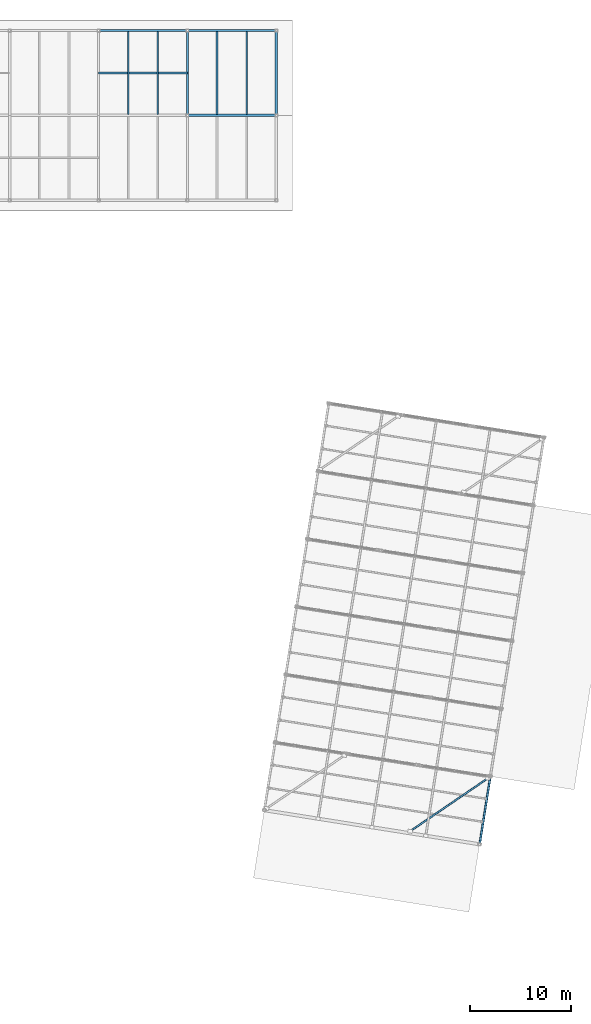
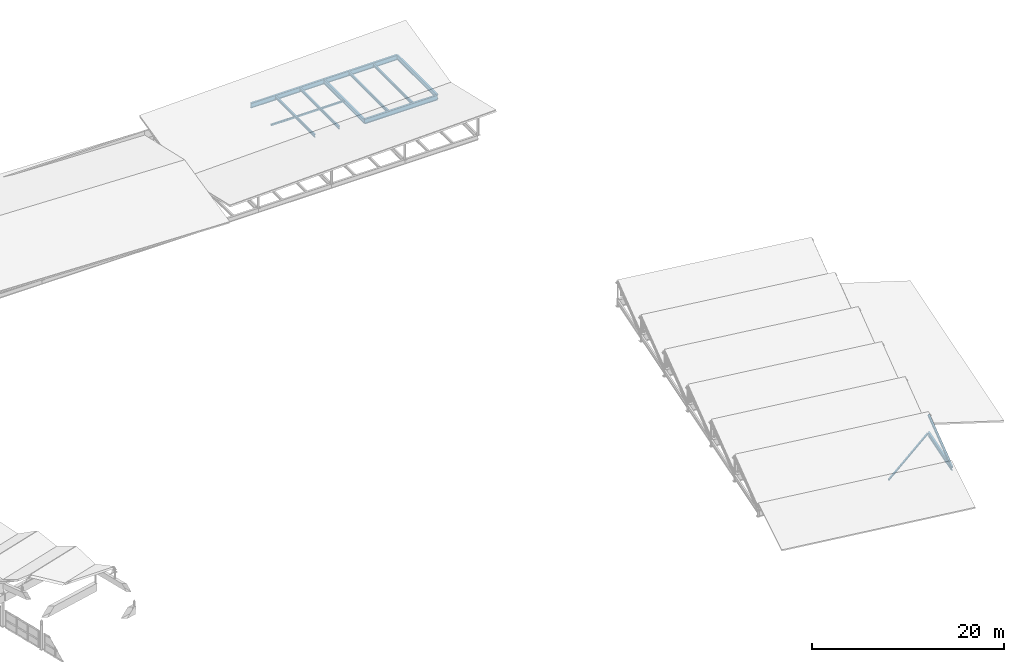
# One storey, part 49 of 65: 10 beams, 3 members.
"""IFC4 building model written with IfcOpenShell, lengths in metres."""

from ifc_helpers import new_model, si_unit, direction, frame, origin, origin_2d, place, context, subcontext, project, spatial, hollow_rectangle, i_section, extrude, material, material_profile, profile_set, type_object, element, save


model = new_model("IFC4")

# Units and contexts
model_context = context("Model", 3, precision=1e-05, world=origin(), true_north=direction((0.0, 1.0)))
body_context = subcontext(model_context, "Body", "Model", "MODEL_VIEW")
ifc_project = project(units=[si_unit("LENGTHUNIT", "METRE"), si_unit("AREAUNIT", "SQUARE_METRE"), si_unit("VOLUMEUNIT", "CUBIC_METRE"), si_unit("PLANEANGLEUNIT", "RADIAN"), si_unit("MASSUNIT", "GRAM", prefix="KILO")], contexts=[model_context])

# Site, building, storey
site_placement = place(None, origin())
site = spatial("IfcSite", under=ifc_project, at=site_placement, CompositionType="ELEMENT")
building_placement = place(site_placement, origin())
building = spatial("IfcBuilding", under=site, at=building_placement, Name="Cinderway Yard Community Centre", CompositionType="ELEMENT")
storey_placement = place(building_placement, frame((0.0, 0.0, 24.300048828125)))
storey = spatial("IfcBuildingStorey", under=building, at=storey_placement, Name="RF", CompositionType="ELEMENT", Elevation=24.300048828125)

# Beams
ifc_material = material(Name="Steel S355", Category="steel")
ifc_material_profile_1 = material_profile(ifc_material, i_section(OverallWidth=0.172119140625, OverallDepth=0.35791015625, WebThickness=0.0078125, FlangeThickness=0.01318359375, FilletRadius=0.010986328125, at=origin_2d()), Name="Steel S355")
ifc_profile_set_1 = profile_set([ifc_material_profile_1], Name="Steel S355")
beam_type_1 = type_object("IfcBeamType", Name="STR-BM-W360X57", PredefinedType="JOIST", material=ifc_profile_set_1)
for number, where, z_axis, x_axis, name in (
    (1, (104.532958984375, 106.89697265625, -0.178955078125), (0.0, 1.0, 0.0), (-1.0, 0.0, 0.0), "Secondary joist STR-BM-RF-SJ03-1143"),
    (2, (107.467041015625, 106.89697265625, -0.178955078125), (0.0, 1.0, 0.0), (-1.0, 0.0, 0.0), "Secondary joist STR-BM-RF-SJ03-1144"),
    (3, (113.3330078125, 106.89697265625, -0.178955078125), (0.0, 1.0, 0.0), (-1.0, 0.0, 0.0), "Secondary joist STR-BM-RF-SJ03-1147"),
    (4, (116.26708984375, 106.89697265625, -0.178955078125), (0.0, 1.0, 0.0), (-1.0, 0.0, 0.0), "Secondary joist STR-BM-RF-SJ03-1148"),
):
    element("IfcBeam", number, at=place(storey_placement, frame(where, z_axis=z_axis, x_axis=x_axis)), inside=storey, type_object=beam_type_1, Name=name, PredefinedType="JOIST", context=body_context, shape_type="SweptSolid", body=[
        extrude(i_section(OverallWidth=0.172119140625, OverallDepth=0.35791015625, WebThickness=0.0078125, FlangeThickness=0.01318359375, FilletRadius=0.010986328125, at=origin_2d()), origin(), (0.0, 0.0, 1.0), 8.2060546875),
    ])
ifc_material_profile_2 = material_profile(ifc_material, i_section(OverallWidth=0.2109375, OverallDepth=0.5390625, WebThickness=0.010986328125, FlangeThickness=0.017333984375, FilletRadius=0.013916015625, at=origin_2d()), Name="Steel S355")
ifc_profile_set_2 = profile_set([ifc_material_profile_2], Name="Steel S355")
beam_type_2 = type_object("IfcBeamType", Name="STR-BM-W530X109", PredefinedType="BEAM", material=ifc_profile_set_2)
beam_1_placement = place(storey_placement, frame((139.333984375, 34.62109375, -10.77001953125), z_axis=(0.156475124325, 0.987681899939, 0.0), x_axis=(-0.987681899939, 0.156475124325, 0.0)))
element("IfcBeam", 5, at=beam_1_placement, inside=storey, type_object=beam_type_2, Name="Sports eave beam E STR-BM-RF-SB06-1011", PredefinedType="BEAM", context=body_context, shape_type="SweptSolid", body=[
    extrude(i_section(OverallWidth=0.2109375, OverallDepth=0.5390625, WebThickness=0.010986328125, FlangeThickness=0.017333984375, FilletRadius=0.013916015625, at=origin_2d()), origin(), (0.0, 0.0, 1.0), 6.799560546875),
])
for number, where, z_axis, x_axis, name in (
    (6, (110.39990234375, 106.800048828125, -0.27001953125), (0.0, 1.0, 0.0), (-1.0, 0.0, 0.0), "Transverse girder STR-BM-RF-SB06-1120"),
    (7, (119.199951171875, 106.800048828125, -0.27001953125), (0.0, 1.0, 0.0), (-1.0, 0.0, 0.0), "Transverse girder STR-BM-RF-SB06-1122"),
):
    element("IfcBeam", number, at=place(storey_placement, frame(where, z_axis=z_axis, x_axis=x_axis)), inside=storey, type_object=beam_type_2, Name=name, PredefinedType="BEAM", context=body_context, shape_type="SweptSolid", body=[
        extrude(i_section(OverallWidth=0.2109375, OverallDepth=0.5390625, WebThickness=0.010986328125, FlangeThickness=0.017333984375, FilletRadius=0.013916015625, at=origin_2d()), origin(), (0.0, 0.0, 1.0), 8.39990234375),
    ])
ifc_material_profile_3 = material_profile(ifc_material, i_section(OverallWidth=0.22998046875, OverallDepth=0.616943359375, WebThickness=0.011962890625, FlangeThickness=0.01953125, FilletRadius=0.01611328125, at=origin_2d()), Name="Steel S355")
ifc_profile_set_3 = profile_set([ifc_material_profile_3], Name="Steel S355")
beam_type_3 = type_object("IfcBeamType", Name="STR-BM-W610X140", PredefinedType="BEAM", material=ifc_profile_set_3)
beam_2_placement = place(storey_placement, frame((110.39990234375, 106.800048828125, -0.30810546875), z_axis=(1.0, 0.0, 0.0), x_axis=(0.0, 1.0, 0.0)))
element("IfcBeam", 8, at=beam_2_placement, inside=storey, type_object=beam_type_3, Name="Primary girder STR-BM-RF-SB05-1100", PredefinedType="BEAM", context=body_context, shape_type="SweptSolid", body=[
    extrude(i_section(OverallWidth=0.22998046875, OverallDepth=0.616943359375, WebThickness=0.011962890625, FlangeThickness=0.01953125, FilletRadius=0.01611328125, at=origin_2d()), origin(), (0.0, 0.0, 1.0), 8.800048828125),
])
beam_3_placement = place(storey_placement, frame((101.60009765625, 115.199951171875, -0.30810546875), z_axis=(1.0, 0.0, 0.0), x_axis=(0.0, 1.0, 0.0)))
element("IfcBeam", 9, at=beam_3_placement, inside=storey, type_object=beam_type_3, Name="Primary girder STR-BM-RF-SB05-1106", PredefinedType="BEAM", context=body_context, shape_type="SweptSolid", body=[
    extrude(i_section(OverallWidth=0.22998046875, OverallDepth=0.616943359375, WebThickness=0.011962890625, FlangeThickness=0.01953125, FilletRadius=0.01611328125, at=origin_2d()), origin(), (0.0, 0.0, 1.0), 8.7998046875),
])
beam_4_placement = place(storey_placement, frame((110.39990234375, 115.199951171875, -0.30810546875), z_axis=(1.0, 0.0, 0.0), x_axis=(0.0, 1.0, 0.0)))
element("IfcBeam", 10, at=beam_4_placement, inside=storey, type_object=beam_type_3, Name="Primary girder STR-BM-RF-SB05-1107", PredefinedType="BEAM", context=body_context, shape_type="SweptSolid", body=[
    extrude(i_section(OverallWidth=0.22998046875, OverallDepth=0.616943359375, WebThickness=0.011962890625, FlangeThickness=0.01953125, FilletRadius=0.01611328125, at=origin_2d()), origin(), (0.0, 0.0, 1.0), 8.800048828125),
])

# Members
ifc_material_profile_4 = material_profile(ifc_material, hollow_rectangle(XDim=0.179931640625, YDim=0.179931640625, WallThickness=0.010009765625, InnerFilletRadius=0.010009765625, OuterFilletRadius=0.02001953125, at=origin_2d()), Name="Steel S355")
ifc_profile_set_4 = profile_set([ifc_material_profile_4], Name="Steel S355")
member_type_1 = type_object("IfcMemberType", Name="STR-MEM-BRACE-180", PredefinedType="BRACE", material=ifc_profile_set_4)
member_1_placement = place(storey_placement, frame((132.451904296875, 35.9140625, -10.60009765625), z_axis=(0.826465685343, 0.562987096612, 0.0), x_axis=(-0.562987096612, 0.826465685343, 0.0)))
element("IfcMember", 11, at=member_1_placement, inside=storey, type_object=member_type_1, Name="Roof plane diagonal brace B1-E", PredefinedType="BRACE", context=body_context, shape_type="SweptSolid", body=[
    extrude(hollow_rectangle(XDim=0.179931640625, YDim=0.179931640625, WallThickness=0.010009765625, InnerFilletRadius=0.010009765625, OuterFilletRadius=0.02001953125, at=origin_2d()), origin(), (0.0, 0.0, 1.0), 9.33740234375),
])
ifc_material_profile_5 = material_profile(ifc_material, hollow_rectangle(XDim=0.199951171875, YDim=0.199951171875, WallThickness=0.010009765625, InnerFilletRadius=0.010009765625, OuterFilletRadius=0.02001953125, at=origin_2d()), Name="Steel S355")
ifc_profile_set_5 = profile_set([ifc_material_profile_5], Name="Steel S355")
member_type_2 = type_object("IfcMemberType", Name="STR-MEM-BRACE-200", PredefinedType="BRACE", material=ifc_profile_set_5)
member_2_placement = place(storey_placement, frame((101.60009765625, 111.0, -0.25), z_axis=(1.0, 0.0, 0.0), x_axis=(0.0, 1.0, 0.0)))
element("IfcMember", 12, at=member_2_placement, inside=storey, type_object=member_type_2, Name="Roof purlin tie member 06", PredefinedType="BRACE", context=body_context, shape_type="SweptSolid", body=[
    extrude(hollow_rectangle(XDim=0.199951171875, YDim=0.199951171875, WallThickness=0.010009765625, InnerFilletRadius=0.010009765625, OuterFilletRadius=0.02001953125, at=origin_2d()), origin(), (0.0, 0.0, 1.0), 8.7998046875),
])
ifc_material_profile_6 = material_profile(ifc_material, hollow_rectangle(XDim=0.199951171875, YDim=0.300048828125, WallThickness=0.012451171875, InnerFilletRadius=0.012451171875, OuterFilletRadius=0.02490234375, at=origin_2d()), Name="Steel S355")
ifc_profile_set_6 = profile_set([ifc_material_profile_6], Name="Steel S355")
member_type_3 = type_object("IfcMemberType", Name="STR-MEM-RAFTER-300", PredefinedType="RAFTER", material=ifc_profile_set_6)
member_3_placement = place(storey_placement, frame((139.333984375, 34.62109375, -10.6201171875), z_axis=(0.148876837345, 0.939720982492, 0.30783138626), x_axis=(-0.987681899939, 0.156475124325, 0.0)))
element("IfcMember", 13, at=member_3_placement, inside=storey, type_object=member_type_3, Name="Sawtooth raked rafter B1-216", PredefinedType="RAFTER", context=body_context, shape_type="SweptSolid", body=[
    extrude(hollow_rectangle(XDim=0.199951171875, YDim=0.300048828125, WallThickness=0.012451171875, InnerFilletRadius=0.012451171875, OuterFilletRadius=0.02490234375, at=origin_2d()), origin(), (0.0, 0.0, 1.0), 7.146728515625),
])

save(model, "model.ifc")
